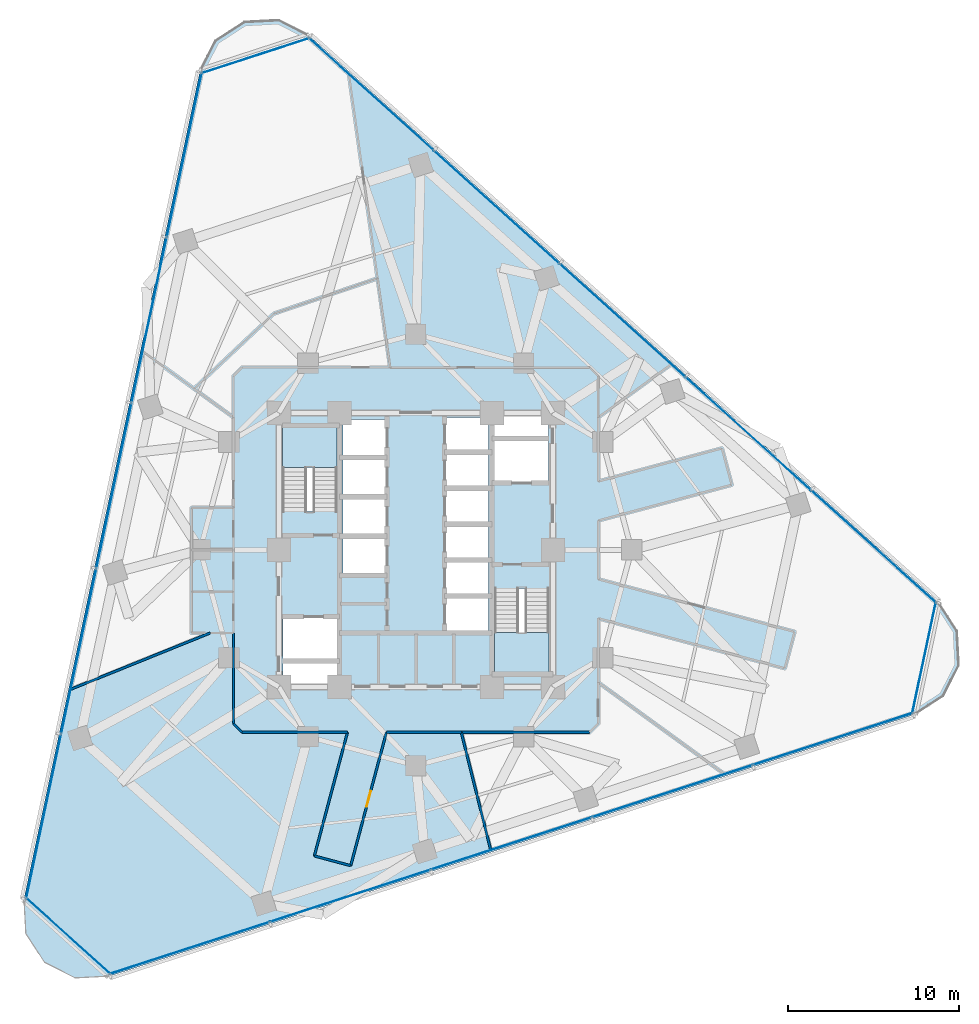
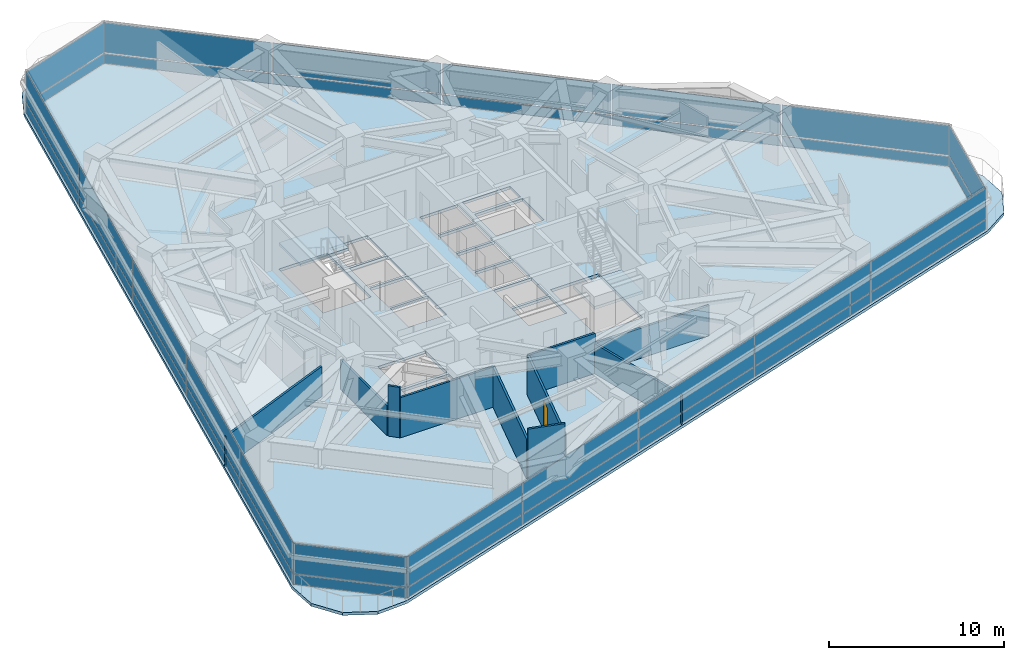
# One storey, part 7 of 14: 36 plates, 10 walls, 3 slabs, 1 door, 1 opening, 8 elements without a shape of their own.
"""IFC4 building model written with IfcOpenShell, lengths in metres."""

from ifc_helpers import new_model, si_unit, direction, frame, frame_2d, origin, origin_2d, place, context, subcontext, project, spatial, polyline, rectangle, outline, extrude, material, layer, layer_set, type_object, element, fill, aggregate, save


model = new_model("IFC4")

# Units and contexts
model_context = context("Model", 3, precision=1e-05, world=origin(), true_north=direction((0.0, 1.0)))
body_context = subcontext(model_context, "Body", "Model", "MODEL_VIEW")
ifc_project = project(units=[si_unit("LENGTHUNIT", "METRE"), si_unit("AREAUNIT", "SQUARE_METRE"), si_unit("VOLUMEUNIT", "CUBIC_METRE"), si_unit("PLANEANGLEUNIT", "RADIAN"), si_unit("MASSUNIT", "GRAM", prefix="KILO")], contexts=[model_context])

# Site, building, storey
site_placement = place(None, origin())
site = spatial("IfcSite", under=ifc_project, at=site_placement, CompositionType="ELEMENT")
building_placement = place(site_placement, origin())
building = spatial("IfcBuilding", under=site, at=building_placement, Name="Terralouvre Media Tower", CompositionType="ELEMENT")
storey_placement = place(building_placement, frame((0.0, 0.0, 116.199951171875)))
storey = spatial("IfcBuildingStorey", under=building, at=storey_placement, Name="L29", CompositionType="ELEMENT", Elevation=116.199951171875)

# Slab
ifc_material_1 = material(Name="Concrete C40/50", Category="concrete")
ifc_layer_1 = layer(ifc_material_1, 0.199951171875, Name="Composite Tower Floor Slab S-TYP200")
ifc_layer_set_1 = layer_set([ifc_layer_1], Name="Concrete C40/50")
slab_type_1 = type_object("IfcSlabType", Name="Composite Tower Floor Slab S-TYP200", PredefinedType="FLOOR", material=ifc_layer_set_1)
slab_1_placement = place(storey_placement, frame((0.0, 0.0, -0.199951171875), z_axis=(0.0, 0.0, 1.0), x_axis=(0.951056516295, 0.309016994375, 0.0)))
element("IfcSlab", 1, at=slab_1_placement, inside=storey, type_object=slab_type_1, Name="L29 Structural Floor Slab", PredefinedType="FLOOR", context=body_context, shape_type="SweptSolid", body=[
    extrude(outline(polyline([(-28.080078125, -12.33203125), (-28.60009765625, -14.272216796875), (-28.080078125, -16.212158203125), (-26.659912109375, -17.63232421875), (-24.719970703125, -18.152099609375), (24.719970703125, -18.152099609375), (26.659912109375, -17.63232421875), (28.080078125, -16.212158203125), (28.60009765625, -14.272216796875), (28.080078125, -12.33203125), (3.360107421875, 30.484130859375), (1.93994140625, 31.904296875), (0.0, 32.424072265625), (-1.93994140625, 31.904296875), (-3.360107421875, 30.484130859375), (-28.080078125, -12.33203125)]), holes=[polyline([(-6.78515625, -5.996826171875), (-9.781005859375, -5.0234375), (-9.41015625, -3.882080078125), (-6.414306640625, -4.85546875), (-6.78515625, -5.996826171875)]), polyline([(-6.3525390625, -4.665283203125), (-9.348388671875, -3.69189453125), (-8.59130859375, -1.36181640625), (-5.595458984375, -2.335205078125), (-6.3525390625, -4.665283203125)]), polyline([(-2.103271484375, -0.809814453125), (-4.480712890625, -0.037109375), (-3.819580078125, 1.998046875), (-1.44189453125, 1.2255859375), (-2.103271484375, -0.809814453125)]), polyline([(-1.392333984375, 1.377685546875), (-3.77001953125, 2.150146484375), (-3.108642578125, 4.185546875), (-0.731201171875, 3.4130859375), (-1.392333984375, 1.377685546875)]), polyline([(4.5302734375, 0.189453125), (2.152587890625, 0.9619140625), (2.752197265625, 2.806884765625), (5.129638671875, 2.034423828125), (4.5302734375, 0.189453125)]), polyline([(-0.681640625, 3.565185546875), (-3.059326171875, 4.337646484375), (-2.39794921875, 6.373046875), (-0.020263671875, 5.600341796875), (-0.681640625, 3.565185546875)]), polyline([(-3.68115234375, 3.556640625), (-6.70556640625, 4.539306640625), (-5.15576171875, 9.308837890625), (-2.13134765625, 8.326171875), (-3.68115234375, 3.556640625)]), polyline([(0.029052734375, 5.752685546875), (-2.3486328125, 6.525146484375), (-1.687255859375, 8.560302734375), (0.6904296875, 7.787841796875), (0.029052734375, 5.752685546875)]), polyline([(3.68115234375, -3.556640625), (6.70556640625, -4.539306640625), (5.15576171875, -9.308837890625), (2.13134765625, -8.326171875), (3.68115234375, -3.556640625)]), polyline([(2.58349609375, -5.80224609375), (0.205810546875, -5.02978515625), (0.80517578125, -3.184814453125), (3.182861328125, -3.957275390625), (2.58349609375, -5.80224609375)]), polyline([(3.232421875, -3.80517578125), (0.854736328125, -3.032470703125), (1.4541015625, -1.1875), (3.831787109375, -1.9599609375), (3.232421875, -3.80517578125)]), polyline([(3.88134765625, -1.807861328125), (1.503662109375, -1.035400390625), (2.103271484375, 0.809814453125), (4.480712890625, 0.037109375), (3.88134765625, -1.807861328125)]), polyline([(5.17919921875, 2.1865234375), (2.801513671875, 2.959228515625), (3.401123046875, 4.80419921875), (5.778564453125, 4.031494140625), (5.17919921875, 2.1865234375)]), polyline([(8.59130859375, 1.36181640625), (5.595458984375, 2.335205078125), (6.3525390625, 4.665283203125), (9.348388671875, 3.69189453125), (8.59130859375, 1.36181640625)]), polyline([(5.828125, 4.183837890625), (3.450439453125, 4.956298828125), (4.050048828125, 6.80126953125), (6.427490234375, 6.02880859375), (5.828125, 4.183837890625)]), polyline([(9.41015625, 3.882080078125), (6.414306640625, 4.85546875), (6.78515625, 5.996826171875), (9.781005859375, 5.0234375), (9.41015625, 3.882080078125)])]), origin(), (0.0, 0.0, 1.0), 0.199951171875),
])

# Stair, slab
ifc_material_2 = material(Name="Concrete C45/55", Category="concrete")
stair_type_1 = type_object("IfcStairType", Name="Dogleg Stair Assembly ST-01", PredefinedType="HALF_TURN_STAIR", material=ifc_material_2)
stair_1_placement = place(storey_placement, origin())
stair_1 = element("IfcStair", 2, at=stair_1_placement, inside=storey, type_object=stair_type_1, Name="L29 Core Pressurised Exit Stair ST-01", PredefinedType="HALF_TURN_STAIR")
ifc_material_3 = material(Name="Concrete C45/55", Category="concrete")
ifc_layer_2 = layer(ifc_material_3, 0.199951171875, Name="Reinforced Concrete Stair Half-Landing SL-LD1")
ifc_layer_set_2 = layer_set([ifc_layer_2], Name="Concrete C45/55")
slab_type_2 = type_object("IfcSlabType", Name="Reinforced Concrete Stair Half-Landing SL-LD1", PredefinedType="LANDING", material=ifc_layer_set_2)
slab_2_placement = place(storey_placement, frame((0.0, 0.0, 1.650146484375)))
slab_2 = element("IfcSlab", 3, at=slab_2_placement, type_object=slab_type_2, Name="ST-01 landing 1", PredefinedType="LANDING", context=body_context, shape_type="SweptSolid", body=[
    extrude(outline(polyline([(-4.60009765625, 4.820068359375), (-4.60009765625, 7.260009765625), (-7.780029296875, 7.260009765625), (-7.780029296875, 4.820068359375), (-4.60009765625, 4.820068359375)])), origin(), (0.0, 0.0, 1.0), 0.199951171875),
])
aggregate(stair_1, [slab_2])

ifc_material_4 = material(Name="Concrete C45/55", Category="concrete")
stair_type_2 = type_object("IfcStairType", Name="Dogleg Stair Assembly ST-02", PredefinedType="HALF_TURN_STAIR", material=ifc_material_4)
stair_2_placement = place(storey_placement, origin())
stair_2 = element("IfcStair", 4, at=stair_2_placement, inside=storey, type_object=stair_type_2, Name="L29 Core Pressurised Exit Stair ST-02", PredefinedType="HALF_TURN_STAIR")
slab_3_placement = place(storey_placement, frame((0.0, 0.0, 1.650146484375)))
slab_3 = element("IfcSlab", 5, at=slab_3_placement, type_object=slab_type_2, Name="ST-02 landing 1", PredefinedType="LANDING", context=body_context, shape_type="SweptSolid", body=[
    extrude(outline(polyline([(4.60009765625, -4.820068359375), (4.60009765625, -7.260009765625), (7.780029296875, -7.260009765625), (7.780029296875, -4.820068359375), (4.60009765625, -4.820068359375)])), origin(), (0.0, 0.0, 1.0), 0.199951171875),
])
aggregate(stair_2, [slab_3])

# Curtain wall, plates
ifc_material_5 = material(Name="Low-iron laminated double glazing with solar-control coating", Category="glass")
ifc_layer_3 = layer(ifc_material_5, 0.1650390625, Name="Rounded Wind-Corner Curved Glazing CW-04")
ifc_layer_set_3 = layer_set([ifc_layer_3], Name="Low-iron laminated double glazing with solar-control coating")
curtain_wall_type_1 = type_object("IfcCurtainWallType", Name="Rounded Wind-Corner Curved Glazing CW-04", PredefinedType="NOTDEFINED", material=ifc_layer_set_3)
curtain_wall_1_placement = place(storey_placement, origin())
curtain_wall_1 = element("IfcCurtainWall", 6, at=curtain_wall_1_placement, inside=storey, type_object=curtain_wall_type_1, Name="L29 Rounded Wind-Corner Curtain Wall C0", PredefinedType="NOTDEFINED")
ifc_material_6 = material(Name="Low-iron laminated double glazing with solar-control coating", Category="glass")
ifc_layer_4 = layer(ifc_material_6, 0.0400390625, Name="Rounded Corner Laminated Vision Panel CWP-03")
ifc_layer_set_4 = layer_set([ifc_layer_4], Name="Low-iron laminated double glazing with solar-control coating")
plate_type_1 = type_object("IfcPlateType", Name="Rounded Corner Laminated Vision Panel CWP-03", PredefinedType="CURTAIN_PANEL", material=ifc_layer_set_4)
plate_1_placement = place(storey_placement, frame((-20.30419921875, -22.550048828125, 0.074951171875), z_axis=(0.0, 0.0, 1.0), x_axis=(0.743144668471, -0.669130780732, 0.0)))
plate_1 = element("IfcPlate", 7, at=plate_1_placement, type_object=plate_type_1, Name="CW-04 panel 1.1", PredefinedType="CURTAIN_PANEL", context=body_context, shape_type="SweptSolid", body=[
    extrude(rectangle(XDim=6.5703125, YDim=0.035888671875, at=origin_2d()), origin(), (0.0, 0.0, 1.0), 0.6875),
])
plate_2_placement = place(storey_placement, frame((-20.30419921875, -22.550048828125, 0.837646484375), z_axis=(0.0, 0.0, 1.0), x_axis=(0.743144668471, -0.669130780732, 0.0)))
plate_2 = element("IfcPlate", 8, at=plate_2_placement, type_object=plate_type_1, Name="CW-04 panel 1.2", PredefinedType="CURTAIN_PANEL", context=body_context, shape_type="SweptSolid", body=[
    extrude(rectangle(XDim=6.5703125, YDim=0.035888671875, at=origin_2d()), origin(), (0.0, 0.0, 1.0), 2.08740234375),
])
aggregate(curtain_wall_1, [plate_1, plate_2])

curtain_wall_2_placement = place(storey_placement, origin())
curtain_wall_2 = element("IfcCurtainWall", 9, at=curtain_wall_2_placement, inside=storey, type_object=curtain_wall_type_1, Name="L29 Rounded Wind-Corner Curtain Wall C1", PredefinedType="NOTDEFINED")
plate_3_placement = place(storey_placement, frame((29.68115234375, -6.308837890625, 0.074951171875), z_axis=(0.0, 0.0, 1.0), x_axis=(0.207911611348, 0.978147617626, 0.0)))
plate_3 = element("IfcPlate", 10, at=plate_3_placement, type_object=plate_type_1, Name="CW-04 panel 1.1", PredefinedType="CURTAIN_PANEL", context=body_context, shape_type="SweptSolid", body=[
    extrude(rectangle(XDim=6.5703125, YDim=0.035888671875, at=origin_2d()), origin(), (0.0, 0.0, 1.0), 0.6875),
])
plate_4_placement = place(storey_placement, frame((29.68115234375, -6.308837890625, 0.837646484375), z_axis=(0.0, 0.0, 1.0), x_axis=(0.207911611348, 0.978147617626, 0.0)))
plate_4 = element("IfcPlate", 11, at=plate_4_placement, type_object=plate_type_1, Name="CW-04 panel 1.2", PredefinedType="CURTAIN_PANEL", context=body_context, shape_type="SweptSolid", body=[
    extrude(rectangle(XDim=6.5703125, YDim=0.035888671875, at=origin_2d()), origin(), (0.0, 0.0, 1.0), 2.08740234375),
])
aggregate(curtain_wall_2, [plate_3, plate_4])

curtain_wall_3_placement = place(storey_placement, origin())
curtain_wall_3 = element("IfcCurtainWall", 12, at=curtain_wall_3_placement, inside=storey, type_object=curtain_wall_type_1, Name="L29 Rounded Wind-Corner Curtain Wall C2", PredefinedType="NOTDEFINED")
plate_5_placement = place(storey_placement, frame((-9.376953125, 28.859130859375, 0.074951171875), z_axis=(0.0, 0.0, 1.0), x_axis=(-0.951056286408, -0.309017701894, 0.0)))
plate_5 = element("IfcPlate", 13, at=plate_5_placement, type_object=plate_type_1, Name="CW-04 panel 1.1", PredefinedType="CURTAIN_PANEL", context=body_context, shape_type="SweptSolid", body=[
    extrude(rectangle(XDim=6.5703125, YDim=0.035888671875, at=origin_2d()), origin(), (0.0, 0.0, 1.0), 0.6875),
])
plate_6_placement = place(storey_placement, frame((-9.376953125, 28.859130859375, 0.837646484375), z_axis=(0.0, 0.0, 1.0), x_axis=(-0.951056286408, -0.309017701894, 0.0)))
plate_6 = element("IfcPlate", 14, at=plate_6_placement, type_object=plate_type_1, Name="CW-04 panel 1.2", PredefinedType="CURTAIN_PANEL", context=body_context, shape_type="SweptSolid", body=[
    extrude(rectangle(XDim=6.5703125, YDim=0.035888671875, at=origin_2d()), origin(), (0.0, 0.0, 1.0), 2.08740234375),
])
aggregate(curtain_wall_3, [plate_5, plate_6])

ifc_material_7 = material(Name="Low-iron laminated double glazing with solar-control coating", Category="glass")
ifc_layer_5 = layer(ifc_material_7, 0.1650390625, Name="Lower Media Tower Unitised Curtain Wall CW-02")
ifc_layer_set_5 = layer_set([ifc_layer_5], Name="Low-iron laminated double glazing with solar-control coating")
curtain_wall_type_2 = type_object("IfcCurtainWallType", Name="Lower Media Tower Unitised Curtain Wall CW-02", PredefinedType="NOTDEFINED", material=ifc_layer_set_5)
curtain_wall_4_placement = place(storey_placement, origin())
curtain_wall_4 = element("IfcCurtainWall", 15, at=curtain_wall_4_placement, inside=storey, type_object=curtain_wall_type_2, Name="L29 Facade Curtain Wall F0", PredefinedType="NOTDEFINED")
ifc_material_8 = material(Name="Low-iron laminated double glazing with solar-control coating", Category="glass")
ifc_layer_6 = layer(ifc_material_8, 0.035888671875, Name="Vision Double-Glazed Unit CWP-01")
ifc_layer_set_6 = layer_set([ifc_layer_6], Name="Low-iron laminated double glazing with solar-control coating")
plate_type_2 = type_object("IfcPlateType", Name="Vision Double-Glazed Unit CWP-01", PredefinedType="CURTAIN_PANEL", material=ifc_layer_set_6)
plate_7_placement = place(storey_placement, frame((-13.218017578125, -23.2548828125, 0.074951171875), z_axis=(0.0, 0.0, 1.0), x_axis=(0.951056509451, 0.309017015439, 0.0)))
plate_7 = element("IfcPlate", 16, at=plate_7_placement, type_object=plate_type_2, Name="CW-02 panel 1.1", PredefinedType="CURTAIN_PANEL", context=body_context, shape_type="SweptSolid", body=[
    extrude(rectangle(XDim=9.775390625, YDim=0.035888671875, at=origin_2d()), origin(), (0.0, 0.0, 1.0), 0.6875),
])
plate_8_placement = place(storey_placement, frame((-13.218017578125, -23.2548828125, 0.837646484375), z_axis=(0.0, 0.0, 1.0), x_axis=(0.951056509451, 0.309017015439, 0.0)))
plate_8 = element("IfcPlate", 17, at=plate_8_placement, type_object=plate_type_2, Name="CW-02 panel 1.2", PredefinedType="CURTAIN_PANEL", context=body_context, shape_type="SweptSolid", body=[
    extrude(rectangle(XDim=9.775390625, YDim=0.035888671875, at=origin_2d()), origin(), (0.0, 0.0, 1.0), 2.08740234375),
])
plate_9_placement = place(storey_placement, frame((-3.831787109375, -20.205078125, 0.074951171875), z_axis=(0.0, 0.0, 1.0), x_axis=(0.951056509451, 0.309017015439, 0.0)))
plate_9 = element("IfcPlate", 18, at=plate_9_placement, type_object=plate_type_2, Name="CW-02 panel 2.1", PredefinedType="CURTAIN_PANEL", context=body_context, shape_type="SweptSolid", body=[
    extrude(rectangle(XDim=9.81298828125, YDim=0.035888671875, at=origin_2d()), origin(), (0.0, 0.0, 1.0), 0.6875),
])
plate_10_placement = place(storey_placement, frame((-3.831787109375, -20.205078125, 0.837646484375), z_axis=(0.0, 0.0, 1.0), x_axis=(0.951056509451, 0.309017015439, 0.0)))
plate_10 = element("IfcPlate", 19, at=plate_10_placement, type_object=plate_type_2, Name="CW-02 panel 2.2", PredefinedType="CURTAIN_PANEL", context=body_context, shape_type="SweptSolid", body=[
    extrude(rectangle(XDim=9.81298828125, YDim=0.035888671875, at=origin_2d()), origin(), (0.0, 0.0, 1.0), 2.08740234375),
])
plate_11_placement = place(storey_placement, frame((5.572265625, -17.149658203125, 0.074951171875), z_axis=(0.0, 0.0, 1.0), x_axis=(0.951056509451, 0.309017015439, 0.0)))
plate_11 = element("IfcPlate", 20, at=plate_11_placement, type_object=plate_type_2, Name="CW-02 panel 3.1", PredefinedType="CURTAIN_PANEL", context=body_context, shape_type="SweptSolid", body=[
    extrude(rectangle(XDim=9.81298828125, YDim=0.035888671875, at=origin_2d()), origin(), (0.0, 0.0, 1.0), 0.6875),
])
plate_12_placement = place(storey_placement, frame((5.572265625, -17.149658203125, 0.837646484375), z_axis=(0.0, 0.0, 1.0), x_axis=(0.951056509451, 0.309017015439, 0.0)))
plate_12 = element("IfcPlate", 21, at=plate_12_placement, type_object=plate_type_2, Name="CW-02 panel 3.2", PredefinedType="CURTAIN_PANEL", context=body_context, shape_type="SweptSolid", body=[
    extrude(rectangle(XDim=9.81298828125, YDim=0.035888671875, at=origin_2d()), origin(), (0.0, 0.0, 1.0), 2.08740234375),
])
plate_13_placement = place(storey_placement, frame((14.976318359375, -14.093994140625, 0.074951171875), z_axis=(0.0, 0.0, 1.0), x_axis=(0.951056509451, 0.309017015439, 0.0)))
plate_13 = element("IfcPlate", 22, at=plate_13_placement, type_object=plate_type_2, Name="CW-02 panel 4.1", PredefinedType="CURTAIN_PANEL", context=body_context, shape_type="SweptSolid", body=[
    extrude(rectangle(XDim=9.81298828125, YDim=0.035888671875, at=origin_2d()), origin(), (0.0, 0.0, 1.0), 0.6875),
])
plate_14_placement = place(storey_placement, frame((14.976318359375, -14.093994140625, 0.837646484375), z_axis=(0.0, 0.0, 1.0), x_axis=(0.951056509451, 0.309017015439, 0.0)))
plate_14 = element("IfcPlate", 23, at=plate_14_placement, type_object=plate_type_2, Name="CW-02 panel 4.2", PredefinedType="CURTAIN_PANEL", context=body_context, shape_type="SweptSolid", body=[
    extrude(rectangle(XDim=9.81298828125, YDim=0.035888671875, at=origin_2d()), origin(), (0.0, 0.0, 1.0), 2.08740234375),
])
plate_15_placement = place(storey_placement, frame((24.362548828125, -11.044189453125, 0.074951171875), z_axis=(0.0, 0.0, 1.0), x_axis=(0.951056509451, 0.309017015439, 0.0)))
plate_15 = element("IfcPlate", 24, at=plate_15_placement, type_object=plate_type_2, Name="CW-02 panel 5.1", PredefinedType="CURTAIN_PANEL", context=body_context, shape_type="SweptSolid", body=[
    extrude(rectangle(XDim=9.775390625, YDim=0.035888671875, at=origin_2d()), origin(), (0.0, 0.0, 1.0), 0.6875),
])
plate_16_placement = place(storey_placement, frame((24.362548828125, -11.044189453125, 0.837646484375), z_axis=(0.0, 0.0, 1.0), x_axis=(0.951056509451, 0.309017015439, 0.0)))
plate_16 = element("IfcPlate", 25, at=plate_16_placement, type_object=plate_type_2, Name="CW-02 panel 5.2", PredefinedType="CURTAIN_PANEL", context=body_context, shape_type="SweptSolid", body=[
    extrude(rectangle(XDim=9.775390625, YDim=0.035888671875, at=origin_2d()), origin(), (0.0, 0.0, 1.0), 2.08740234375),
])
aggregate(curtain_wall_4, [plate_7, plate_8, plate_9, plate_10, plate_11, plate_12, plate_13, plate_14, plate_15, plate_16])

curtain_wall_5_placement = place(storey_placement, origin())
curtain_wall_5 = element("IfcCurtainWall", 26, at=curtain_wall_5_placement, inside=storey, type_object=curtain_wall_type_2, Name="L29 Facade Curtain Wall F1", PredefinedType="NOTDEFINED")
plate_17_placement = place(storey_placement, frame((26.748291015625, 0.18017578125, 0.074951171875), z_axis=(0.0, 0.0, 1.0), x_axis=(-0.743144795545, 0.669130639602, 0.0)))
plate_17 = element("IfcPlate", 27, at=plate_17_placement, type_object=plate_type_2, Name="CW-02 panel 1.1", PredefinedType="CURTAIN_PANEL", context=body_context, shape_type="SweptSolid", body=[
    extrude(rectangle(XDim=9.775390625, YDim=0.035888671875, at=origin_2d()), origin(), (0.0, 0.0, 1.0), 0.6875),
])
plate_18_placement = place(storey_placement, frame((26.748291015625, 0.18017578125, 0.837646484375), z_axis=(0.0, 0.0, 1.0), x_axis=(-0.743144795545, 0.669130639602, 0.0)))
plate_18 = element("IfcPlate", 28, at=plate_18_placement, type_object=plate_type_2, Name="CW-02 panel 1.2", PredefinedType="CURTAIN_PANEL", context=body_context, shape_type="SweptSolid", body=[
    extrude(rectangle(XDim=9.775390625, YDim=0.035888671875, at=origin_2d()), origin(), (0.0, 0.0, 1.0), 2.08740234375),
])
plate_19_placement = place(storey_placement, frame((19.4140625, 6.7841796875, 0.074951171875), z_axis=(0.0, 0.0, 1.0), x_axis=(-0.743144795545, 0.669130639602, 0.0)))
plate_19 = element("IfcPlate", 29, at=plate_19_placement, type_object=plate_type_2, Name="CW-02 panel 2.1", PredefinedType="CURTAIN_PANEL", context=body_context, shape_type="SweptSolid", body=[
    extrude(rectangle(XDim=9.81298828125, YDim=0.035888671875, at=origin_2d()), origin(), (0.0, 0.0, 1.0), 0.6875),
])
plate_20_placement = place(storey_placement, frame((19.4140625, 6.7841796875, 0.837646484375), z_axis=(0.0, 0.0, 1.0), x_axis=(-0.743144795545, 0.669130639602, 0.0)))
plate_20 = element("IfcPlate", 30, at=plate_20_placement, type_object=plate_type_2, Name="CW-02 panel 2.2", PredefinedType="CURTAIN_PANEL", context=body_context, shape_type="SweptSolid", body=[
    extrude(rectangle(XDim=9.81298828125, YDim=0.035888671875, at=origin_2d()), origin(), (0.0, 0.0, 1.0), 2.08740234375),
])
plate_21_placement = place(storey_placement, frame((12.06591796875, 13.400390625, 0.074951171875), z_axis=(0.0, 0.0, 1.0), x_axis=(-0.743144795545, 0.669130639602, 0.0)))
plate_21 = element("IfcPlate", 31, at=plate_21_placement, type_object=plate_type_2, Name="CW-02 panel 3.1", PredefinedType="CURTAIN_PANEL", context=body_context, shape_type="SweptSolid", body=[
    extrude(rectangle(XDim=9.81298828125, YDim=0.035888671875, at=origin_2d()), origin(), (0.0, 0.0, 1.0), 0.6875),
])
plate_22_placement = place(storey_placement, frame((12.06591796875, 13.400390625, 0.837646484375), z_axis=(0.0, 0.0, 1.0), x_axis=(-0.743144795545, 0.669130639602, 0.0)))
plate_22 = element("IfcPlate", 32, at=plate_22_placement, type_object=plate_type_2, Name="CW-02 panel 3.2", PredefinedType="CURTAIN_PANEL", context=body_context, shape_type="SweptSolid", body=[
    extrude(rectangle(XDim=9.81298828125, YDim=0.035888671875, at=origin_2d()), origin(), (0.0, 0.0, 1.0), 2.08740234375),
])
plate_23_placement = place(storey_placement, frame((4.717529296875, 20.016845703125, 0.074951171875), z_axis=(0.0, 0.0, 1.0), x_axis=(-0.743144795545, 0.669130639602, 0.0)))
plate_23 = element("IfcPlate", 33, at=plate_23_placement, type_object=plate_type_2, Name="CW-02 panel 4.1", PredefinedType="CURTAIN_PANEL", context=body_context, shape_type="SweptSolid", body=[
    extrude(rectangle(XDim=9.81298828125, YDim=0.035888671875, at=origin_2d()), origin(), (0.0, 0.0, 1.0), 0.6875),
])
plate_24_placement = place(storey_placement, frame((4.717529296875, 20.016845703125, 0.837646484375), z_axis=(0.0, 0.0, 1.0), x_axis=(-0.743144795545, 0.669130639602, 0.0)))
plate_24 = element("IfcPlate", 34, at=plate_24_placement, type_object=plate_type_2, Name="CW-02 panel 4.2", PredefinedType="CURTAIN_PANEL", context=body_context, shape_type="SweptSolid", body=[
    extrude(rectangle(XDim=9.81298828125, YDim=0.035888671875, at=origin_2d()), origin(), (0.0, 0.0, 1.0), 2.08740234375),
])
plate_25_placement = place(storey_placement, frame((-2.61669921875, 26.62060546875, 0.074951171875), z_axis=(0.0, 0.0, 1.0), x_axis=(-0.743144795545, 0.669130639602, 0.0)))
plate_25 = element("IfcPlate", 35, at=plate_25_placement, type_object=plate_type_2, Name="CW-02 panel 5.1", PredefinedType="CURTAIN_PANEL", context=body_context, shape_type="SweptSolid", body=[
    extrude(rectangle(XDim=9.775390625, YDim=0.035888671875, at=origin_2d()), origin(), (0.0, 0.0, 1.0), 0.6875),
])
plate_26_placement = place(storey_placement, frame((-2.61669921875, 26.62060546875, 0.837646484375), z_axis=(0.0, 0.0, 1.0), x_axis=(-0.743144795545, 0.669130639602, 0.0)))
plate_26 = element("IfcPlate", 36, at=plate_26_placement, type_object=plate_type_2, Name="CW-02 panel 5.2", PredefinedType="CURTAIN_PANEL", context=body_context, shape_type="SweptSolid", body=[
    extrude(rectangle(XDim=9.775390625, YDim=0.035888671875, at=origin_2d()), origin(), (0.0, 0.0, 1.0), 2.08740234375),
])
aggregate(curtain_wall_5, [plate_17, plate_18, plate_19, plate_20, plate_21, plate_22, plate_23, plate_24, plate_25, plate_26])

curtain_wall_6_placement = place(storey_placement, origin())
curtain_wall_6 = element("IfcCurtainWall", 37, at=curtain_wall_6_placement, inside=storey, type_object=curtain_wall_type_2, Name="L29 Facade Curtain Wall F2", PredefinedType="NOTDEFINED")
plate_27_placement = place(storey_placement, frame((-13.5302734375, 23.07470703125, 0.074951171875), z_axis=(0.0, 0.0, 1.0), x_axis=(-0.207911643887, -0.978147610709, 0.0)))
plate_27 = element("IfcPlate", 38, at=plate_27_placement, type_object=plate_type_2, Name="CW-02 panel 1.1", PredefinedType="CURTAIN_PANEL", context=body_context, shape_type="SweptSolid", body=[
    extrude(rectangle(XDim=9.775390625, YDim=0.035888671875, at=origin_2d()), origin(), (0.0, 0.0, 1.0), 0.6875),
])
plate_28_placement = place(storey_placement, frame((-13.5302734375, 23.07470703125, 0.837646484375), z_axis=(0.0, 0.0, 1.0), x_axis=(-0.207911643887, -0.978147610709, 0.0)))
plate_28 = element("IfcPlate", 39, at=plate_28_placement, type_object=plate_type_2, Name="CW-02 panel 1.2", PredefinedType="CURTAIN_PANEL", context=body_context, shape_type="SweptSolid", body=[
    extrude(rectangle(XDim=9.775390625, YDim=0.035888671875, at=origin_2d()), origin(), (0.0, 0.0, 1.0), 2.08740234375),
])
plate_29_placement = place(storey_placement, frame((-15.582275390625, 13.4208984375, 0.074951171875), z_axis=(0.0, 0.0, 1.0), x_axis=(-0.207911643887, -0.978147610709, 0.0)))
plate_29 = element("IfcPlate", 40, at=plate_29_placement, type_object=plate_type_2, Name="CW-02 panel 2.1", PredefinedType="CURTAIN_PANEL", context=body_context, shape_type="SweptSolid", body=[
    extrude(rectangle(XDim=9.81298828125, YDim=0.035888671875, at=origin_2d()), origin(), (0.0, 0.0, 1.0), 0.6875),
])
plate_30_placement = place(storey_placement, frame((-15.582275390625, 13.4208984375, 0.837646484375), z_axis=(0.0, 0.0, 1.0), x_axis=(-0.207911643887, -0.978147610709, 0.0)))
plate_30 = element("IfcPlate", 41, at=plate_30_placement, type_object=plate_type_2, Name="CW-02 panel 2.2", PredefinedType="CURTAIN_PANEL", context=body_context, shape_type="SweptSolid", body=[
    extrude(rectangle(XDim=9.81298828125, YDim=0.035888671875, at=origin_2d()), origin(), (0.0, 0.0, 1.0), 2.08740234375),
])
plate_31_placement = place(storey_placement, frame((-17.637939453125, 3.7490234375, 0.074951171875), z_axis=(0.0, 0.0, 1.0), x_axis=(-0.207911643887, -0.978147610709, 0.0)))
plate_31 = element("IfcPlate", 42, at=plate_31_placement, type_object=plate_type_2, Name="CW-02 panel 3.1", PredefinedType="CURTAIN_PANEL", context=body_context, shape_type="SweptSolid", body=[
    extrude(rectangle(XDim=9.81298828125, YDim=0.035888671875, at=origin_2d()), origin(), (0.0, 0.0, 1.0), 0.6875),
])
plate_32_placement = place(storey_placement, frame((-17.637939453125, 3.7490234375, 0.837646484375), z_axis=(0.0, 0.0, 1.0), x_axis=(-0.207911643887, -0.978147610709, 0.0)))
plate_32 = element("IfcPlate", 43, at=plate_32_placement, type_object=plate_type_2, Name="CW-02 panel 3.2", PredefinedType="CURTAIN_PANEL", context=body_context, shape_type="SweptSolid", body=[
    extrude(rectangle(XDim=9.81298828125, YDim=0.035888671875, at=origin_2d()), origin(), (0.0, 0.0, 1.0), 2.08740234375),
])
plate_33_placement = place(storey_placement, frame((-19.69384765625, -5.9228515625, 0.074951171875), z_axis=(0.0, 0.0, 1.0), x_axis=(-0.207911643887, -0.978147610709, 0.0)))
plate_33 = element("IfcPlate", 44, at=plate_33_placement, type_object=plate_type_2, Name="CW-02 panel 4.1", PredefinedType="CURTAIN_PANEL", context=body_context, shape_type="SweptSolid", body=[
    extrude(rectangle(XDim=9.81298828125, YDim=0.035888671875, at=origin_2d()), origin(), (0.0, 0.0, 1.0), 0.6875),
])
plate_34_placement = place(storey_placement, frame((-19.69384765625, -5.9228515625, 0.837646484375), z_axis=(0.0, 0.0, 1.0), x_axis=(-0.207911643887, -0.978147610709, 0.0)))
plate_34 = element("IfcPlate", 45, at=plate_34_placement, type_object=plate_type_2, Name="CW-02 panel 4.2", PredefinedType="CURTAIN_PANEL", context=body_context, shape_type="SweptSolid", body=[
    extrude(rectangle(XDim=9.81298828125, YDim=0.035888671875, at=origin_2d()), origin(), (0.0, 0.0, 1.0), 2.08740234375),
])
plate_35_placement = place(storey_placement, frame((-21.745849609375, -15.576416015625, 0.074951171875), z_axis=(0.0, 0.0, 1.0), x_axis=(-0.207911643887, -0.978147610709, 0.0)))
plate_35 = element("IfcPlate", 46, at=plate_35_placement, type_object=plate_type_2, Name="CW-02 panel 5.1", PredefinedType="CURTAIN_PANEL", context=body_context, shape_type="SweptSolid", body=[
    extrude(rectangle(XDim=9.775390625, YDim=0.035888671875, at=origin_2d()), origin(), (0.0, 0.0, 1.0), 0.6875),
])
plate_36_placement = place(storey_placement, frame((-21.745849609375, -15.576416015625, 0.837646484375), z_axis=(0.0, 0.0, 1.0), x_axis=(-0.207911643887, -0.978147610709, 0.0)))
plate_36 = element("IfcPlate", 47, at=plate_36_placement, type_object=plate_type_2, Name="CW-02 panel 5.2", PredefinedType="CURTAIN_PANEL", context=body_context, shape_type="SweptSolid", body=[
    extrude(rectangle(XDim=9.775390625, YDim=0.035888671875, at=origin_2d()), origin(), (0.0, 0.0, 1.0), 2.08740234375),
])
aggregate(curtain_wall_6, [plate_27, plate_28, plate_29, plate_30, plate_31, plate_32, plate_33, plate_34, plate_35, plate_36])

# Walls
ifc_material_9 = material(Name="Fire-rated gypsum board drywall partition")
ifc_layer_7 = layer(ifc_material_9, 0.135009765625, Name="Newsroom Acoustic Partition PT-135")
ifc_layer_set_7 = layer_set([ifc_layer_7], Name="Fire-rated gypsum board drywall partition")
wall_type = type_object("IfcWallType", Name="Newsroom Acoustic Partition PT-135", PredefinedType="PARTITIONING", material=ifc_layer_set_7)
wall_1_placement = place(storey_placement, frame((-10.64990234375, -4.85009765625, 0.0), z_axis=(0.0, 0.0, 1.0), x_axis=(0.0, -1.0, 0.0)))
element("IfcWall", 48, at=wall_1_placement, inside=storey, type_object=wall_type, Name="L29 Interior Partition 010", PredefinedType="PARTITIONING", context=body_context, shape_type="SweptSolid", body=[
    extrude(rectangle(XDim=5.2998046875, YDim=0.135009765625, at=frame_2d((2.64990234375, 0.0))), origin(), (0.0, 0.0, 1.0), 2.0849609375),
])
wall_2_placement = place(storey_placement, frame((-10.64990234375, -10.14990234375, 0.0), z_axis=(0.0, 0.0, 1.0), x_axis=(0.707106781187, -0.707106781187, 0.0)))
element("IfcWall", 49, at=wall_2_placement, inside=storey, type_object=wall_type, Name="L29 Interior Partition 011", PredefinedType="PARTITIONING", context=body_context, shape_type="SweptSolid", body=[
    extrude(rectangle(XDim=0.70703125, YDim=0.135009765625, at=frame_2d((0.353515625, 0.0))), origin(), (0.0, 0.0, 1.0), 3.5),
])
wall_3_placement = place(storey_placement, frame((-10.14990234375, -10.64990234375, 0.0), z_axis=(0.0, 0.0, 1.0), x_axis=(1.0, 0.0, 0.0)))
element("IfcWall", 50, at=wall_3_placement, inside=storey, type_object=wall_type, Name="L29 Interior Partition 012", PredefinedType="PARTITIONING", context=body_context, shape_type="SweptSolid", body=[
    extrude(rectangle(XDim=6.157958984375, YDim=0.135009765625, at=frame_2d((3.0791015625, 0.0))), origin(), (0.0, 0.0, 1.0), 2.78515625),
])
wall_4_placement = place(storey_placement, frame((-3.991943359375, -10.64990234375, 0.0), z_axis=(0.0, 0.0, 1.0), x_axis=(-0.258828534142, -0.965923283659, 0.0)))
element("IfcWall", 51, at=wall_4_placement, inside=storey, type_object=wall_type, Name="L29 Interior Partition 013", PredefinedType="PARTITIONING", context=body_context, shape_type="SweptSolid", body=[
    extrude(rectangle(XDim=7.47998046875, YDim=0.135009765625, at=frame_2d((3.739990234375, 0.0))), origin(), (0.0, 0.0, 1.0), 2.78515625),
])
wall_5_placement = place(storey_placement, frame((-5.927978515625, -17.875, 0.0), z_axis=(0.0, 0.0, 1.0), x_axis=(0.965959937537, -0.258691706618, 0.0)))
element("IfcWall", 52, at=wall_5_placement, inside=storey, type_object=wall_type, Name="L29 Interior Partition 014", PredefinedType="PARTITIONING", context=body_context, shape_type="SweptSolid", body=[
    extrude(rectangle(XDim=2.199951171875, YDim=0.135009765625, at=frame_2d((1.10009765625, 0.0))), origin(), (0.0, 0.0, 1.0), 3.5),
])

# Wall, opening, door
wall_6_placement = place(storey_placement, frame((-3.802978515625, -18.444091796875, 0.0), z_axis=(0.0, 0.0, 1.0), x_axis=(0.258754737882, 0.965943055062, 0.0)))
wall_6 = element("IfcWall", 53, at=wall_6_placement, inside=storey, type_object=wall_type, Name="L29 Interior Partition 015", PredefinedType="PARTITIONING", context=body_context, shape_type="SweptSolid", body=[
    extrude(rectangle(XDim=8.069091796875, YDim=0.135009765625, at=frame_2d((4.03466796875, 0.0))), origin(), (0.0, 0.0, 1.0), 2.78515625),
])
opening_placement = place(wall_6_placement, frame((3.559326171875, 0.0, 0.0)))
opening = element("IfcOpeningElement", 54, at=opening_placement, cuts=wall_6, Name="Opening FD-04-95X210", PredefinedType="OPENING", context=body_context, shape_type="SweptSolid", body=[
    extrude(rectangle(XDim=0.949951171875, YDim=2.10009765625, at=frame_2d((0.47509765625, 1.050048828125))), frame((0.0, 0.077392578125, 0.0), z_axis=(0.0, -1.0, 0.0), x_axis=(1.0, 0.0, 0.0)), (0.0, 0.0, 1.0), 0.155029296875),
])
ifc_material_10 = material(Name="Galvanised steel fire-resisting leaf", Category="steel")
door_type = type_object("IfcDoorType", Name="Core Store and Service Fire Door FD-04 (950x2100)", OperationType="NOTDEFINED", PredefinedType="DOOR", material=ifc_material_10)
door_placement = place(opening_placement, origin())
door = element("IfcDoor", 55, at=door_placement, inside=storey, type_object=door_type, Name="L29 Sky Lobby Arrival Reception 2 Door", OperationType="SINGLE_SWING_LEFT", OverallHeight=2.10009765625, OverallWidth=0.949951171875, PredefinedType="DOOR", context=body_context, shape_type="SweptSolid", body=[
    extrude(rectangle(XDim=0.949951171875, YDim=2.10009765625, at=frame_2d((0.47509765625, 1.050048828125))), frame((0.0, 0.02490234375, 0.0), z_axis=(0.0, -1.0, 0.0), x_axis=(1.0, 0.0, 0.0)), (0.0, 0.0, 1.0), 0.050048828125),
])
fill(opening, door)

# Walls
wall_7_placement = place(storey_placement, frame((-1.715087890625, -10.64990234375, 0.0), z_axis=(0.0, 0.0, 1.0), x_axis=(1.0, 0.0, 0.0)))
element("IfcWall", 56, at=wall_7_placement, inside=storey, type_object=wall_type, Name="L29 Interior Partition 016", PredefinedType="PARTITIONING", context=body_context, shape_type="SweptSolid", body=[
    extrude(rectangle(XDim=4.3701171875, YDim=0.135009765625, at=frame_2d((2.18505859375, 0.0))), origin(), (0.0, 0.0, 1.0), 2.78515625),
])
wall_8_placement = place(storey_placement, frame((2.655029296875, -10.64990234375, 0.0), z_axis=(0.0, 0.0, 1.0), x_axis=(1.0, 0.0, 0.0)))
element("IfcWall", 57, at=wall_8_placement, inside=storey, type_object=wall_type, Name="L29 Interior Partition 019", PredefinedType="PARTITIONING", context=body_context, shape_type="SweptSolid", body=[
    extrude(rectangle(XDim=7.494873046875, YDim=0.135009765625, at=frame_2d((3.74755859375, 0.0))), origin(), (0.0, 0.0, 1.0), 2.0849609375),
])
wall_9_placement = place(storey_placement, frame((4.3828125, -17.578125, 0.0), z_axis=(0.0, 0.0, 1.0), x_axis=(-0.241972431949, 0.970283124751, 0.0)))
element("IfcWall", 58, at=wall_9_placement, inside=storey, type_object=wall_type, Name="L29 Interior Partition 033", PredefinedType="PARTITIONING", context=body_context, shape_type="SweptSolid", body=[
    extrude(rectangle(XDim=7.140380859375, YDim=0.135009765625, at=frame_2d((3.5703125, 0.0))), origin(), (0.0, 0.0, 1.0), 2.0849609375),
])
wall_10_placement = place(storey_placement, frame((-12.00390625, -4.85009765625, 0.0), z_axis=(0.0, 0.0, 1.0), x_axis=(-0.927193028103, -0.374583887317, 0.0)))
element("IfcWall", 59, at=wall_10_placement, inside=storey, type_object=wall_type, Name="L29 Interior Partition 034", PredefinedType="PARTITIONING", context=body_context, shape_type="SweptSolid", body=[
    extrude(rectangle(XDim=8.852294921875, YDim=0.135009765625, at=frame_2d((4.42626953125, 0.0))), origin(), (0.0, 0.0, 1.0), 2.0849609375),
])

save(model, "model.ifc")
